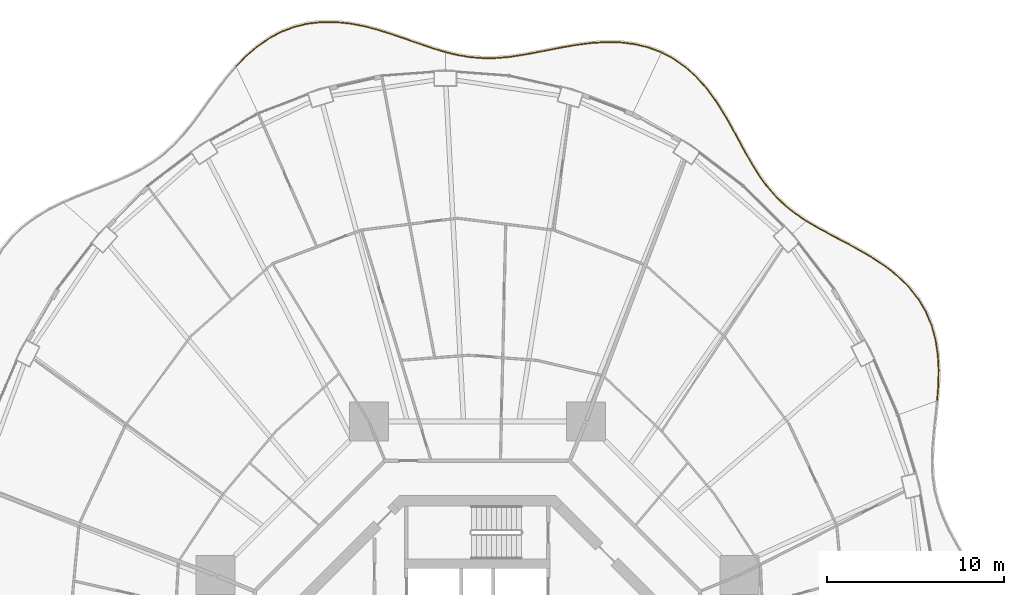
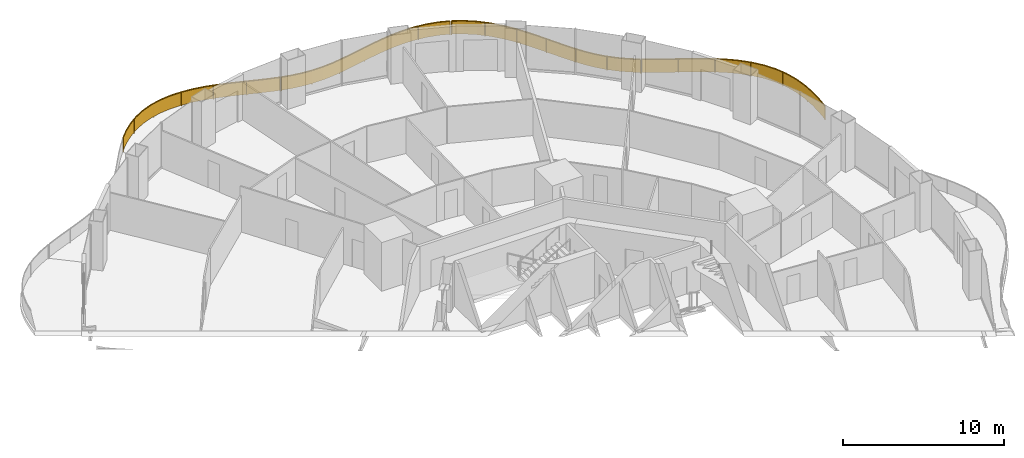
# One storey, part 22 of 22: 4 railings.
"""IFC4 building model written with IfcOpenShell, lengths in metres."""

import ifcopenshell
import ifcopenshell.guid

model = None  # the IFC model being written
_history = None  # IfcOwnerHistory: only IFC2X3 demands one
_inside = {}  # id of a spatial element -> (the spatial element, [elements in it])
_under = {}  # id of a project, library or spatial element -> (it, [spatial elements below it])
_declared = {}  # id of a project -> (the project, [libraries it declares])
_typed = {}  # id of a type object -> (the type object, [elements of that type])
_made_of = {}  # id of a material, layer set ... -> (it, [elements and type objects made of it])


def new_model(schema):
    """Start an empty IFC model of exactly this schema.

    Asked for "IFC4X3", IfcOpenShell would pick the latest addendum, in which some entities
    have other attributes; the version numbers below select the first issue.
    IFC2X3 requires an IfcOwnerHistory on every rooted entity: one is made here for all.
    """
    global model, _history
    if schema == "IFC4X3":
        model = ifcopenshell.file(schema_version=(4, 3, 0, 0))
    else:
        model = ifcopenshell.file(schema=schema)
    _inside.clear()
    _under.clear()
    _declared.clear()
    _typed.clear()
    _made_of.clear()
    _history = None
    if model.schema == "IFC2X3":
        org = make("IfcOrganization", Name="unknown")
        user = make(
            "IfcPersonAndOrganization",
            ThePerson=make("IfcPerson", FamilyName="unknown"),
            TheOrganization=org,
        )
        app = make(
            "IfcApplication",
            ApplicationDeveloper=org,
            Version="unknown",
            ApplicationFullName="unknown",
            ApplicationIdentifier="unknown",
        )
        _history = make(
            "IfcOwnerHistory",
            OwningUser=user,
            OwningApplication=app,
            ChangeAction="ADDED",
            CreationDate=0,
        )
    return model


def make(cls, **values):
    """One entity of the class cls with the attributes given. An attribute that is None is left unset."""
    return model.create_entity(
        cls, **{name: value for name, value in values.items() if value is not None}
    )


def rooted(cls, **values):
    """An entity with a GlobalId (a new one), such as an element, a storey or a relation."""
    return make(cls, GlobalId=ifcopenshell.guid.new(), OwnerHistory=_history, **values)


def si_unit(unit_type, name, prefix=None):
    """IfcSIUnit, for example si_unit("LENGTHUNIT", "METRE", prefix="MILLI")."""
    return make("IfcSIUnit", UnitType=unit_type, Prefix=prefix, Name=name)


def assignment(units):
    """IfcUnitAssignment: the units of a project."""
    return None if units is None else make("IfcUnitAssignment", Units=units)


def point(xyz):
    """IfcCartesianPoint."""
    return None if xyz is None else make("IfcCartesianPoint", Coordinates=xyz)


def direction(xyz):
    """IfcDirection."""
    return None if xyz is None else make("IfcDirection", DirectionRatios=xyz)


def frame(location, z_axis=None, x_axis=None):
    """IfcAxis2Placement3D, a coordinate frame: its origin and axes. An axis left out is left unset."""
    return make(
        "IfcAxis2Placement3D",
        Location=point(location),
        Axis=direction(z_axis),
        RefDirection=direction(x_axis),
    )


def frame_2d(location, x_axis=None):
    """IfcAxis2Placement2D, a coordinate frame in the plane: its origin and x axis."""
    return make(
        "IfcAxis2Placement2D", Location=point(location), RefDirection=direction(x_axis)
    )


def origin():
    """The frame at (0, 0, 0) with its axes left unset."""
    return frame((0.0, 0.0, 0.0))


def origin_2d():
    """The frame at (0, 0) in the plane with its x axis left unset."""
    return frame_2d((0.0, 0.0))


def place(relative_to, where):
    """IfcLocalPlacement: puts the frame where relative to a parent placement (None: the world)."""
    return make(
        "IfcLocalPlacement", PlacementRelTo=relative_to, RelativePlacement=where
    )


def context(
    kind, dimensions, precision=None, world=None, true_north=None, identifier=None
):
    """IfcGeometricRepresentationContext, for example the 3D "Model" context."""
    return make(
        "IfcGeometricRepresentationContext",
        ContextIdentifier=identifier,
        ContextType=kind,
        CoordinateSpaceDimension=dimensions,
        Precision=precision,
        WorldCoordinateSystem=world,
        TrueNorth=true_north,
    )


def subcontext(parent, identifier, kind, view, scale=None):
    """IfcGeometricRepresentationSubContext, for example "Body" below "Model"."""
    return make(
        "IfcGeometricRepresentationSubContext",
        ContextIdentifier=identifier,
        ContextType=kind,
        ParentContext=parent,
        TargetScale=scale,
        TargetView=view,
    )


def project(units=None, contexts=None):
    """IfcProject with its units and contexts."""
    return rooted(
        "IfcProject",
        Name="project",
        RepresentationContexts=contexts,
        UnitsInContext=assignment(units),
    )


def spatial(cls, under=None, at=None, **own):
    """A site, building, storey or space (cls), placed at a placement, below another one or the project."""
    s = rooted(cls, ObjectPlacement=at, **own)
    if under is not None:
        _under.setdefault(under.id(), (under, []))[1].append(s)
    return s


def polyline(points):
    """IfcPolyline through the points."""
    return make("IfcPolyline", Points=[point(p) for p in points])


def profile(cls, at=None, kind="AREA", **sizes):
    """A parametric profile (cls). Its sizes go by their IFC names, for example OverallWidth=200.0."""
    return make(cls, ProfileType=kind, Position=at, **sizes)


def rectangle(**sizes):
    """IfcRectangleProfileDef."""
    return profile("IfcRectangleProfileDef", **sizes)


def outline(outer, holes=None, kind="AREA"):
    """IfcArbitraryClosedProfileDef: a profile drawn as a closed curve; with holes, ...WithVoids."""
    if holes is None:
        return make("IfcArbitraryClosedProfileDef", ProfileType=kind, OuterCurve=outer)
    return make(
        "IfcArbitraryProfileDefWithVoids",
        ProfileType=kind,
        OuterCurve=outer,
        InnerCurves=holes,
    )


def extrude(swept, where, along, depth):
    """IfcExtrudedAreaSolid: the profile swept, set in the frame where, extruded along a direction by depth."""
    return make(
        "IfcExtrudedAreaSolid",
        SweptArea=swept,
        Position=where,
        ExtrudedDirection=direction(along),
        Depth=depth,
    )


def shape(context_of_items, identifier, shape_type, items):
    """IfcShapeRepresentation: the items that make up one representation, for example the "Body"."""
    return make(
        "IfcShapeRepresentation",
        ContextOfItems=context_of_items,
        RepresentationIdentifier=identifier,
        RepresentationType=shape_type,
        Items=items,
    )


def material(Name=None, Category=None):
    """IfcMaterial."""
    return make("IfcMaterial", Name=Name, Category=Category)


def made_of(thing, what):
    """Note that an element or type object is made of a material, layer set ...; save() writes the relation."""
    if what is not None:
        _made_of.setdefault(what.id(), (what, []))[1].append(thing)
    return thing


def type_object(cls, material=None, **own):
    """A type object (cls), such as IfcWallType, which elements share."""
    return made_of(rooted(cls, **own), material)


def element(
    cls,
    number,
    at=None,
    inside=None,
    cuts=None,
    type_object=None,
    material=None,
    context=None,
    identifier="Body",
    shape_type=None,
    held_by="IfcProductDefinitionShape",
    body=None,
    shapes=None,
    **own,
):
    """One element of the class cls, such as IfcWall. Its Tag is "e" and its number.

    at: its placement. inside: the storey or other place that contains it. cuts: it is an
    opening in that element (IfcRelVoidsElement). A single representation is given by context,
    identifier, shape_type and body (its items); several are given by shapes. held_by: the class
    of the entity that holds the representations. save() writes the other relations.
    """
    e = rooted(cls, Tag="e%d" % number, ObjectPlacement=at, **own)
    if body is not None:
        shapes = [shape(context, identifier, shape_type, body)]
    if shapes is not None:
        e.Representation = make(held_by, Representations=shapes)
    if inside is not None:
        _inside.setdefault(inside.id(), (inside, []))[1].append(e)
    if cuts is not None:
        rooted(
            "IfcRelVoidsElement", RelatingBuildingElement=cuts, RelatedOpeningElement=e
        )
    if type_object is not None:
        _typed.setdefault(type_object.id(), (type_object, []))[1].append(e)
    return made_of(e, material)


def aggregate(whole, parts):
    """IfcRelAggregates: a whole, such as a stair, and the parts it consists of."""
    return rooted("IfcRelAggregates", RelatingObject=whole, RelatedObjects=parts)


def save(model, path):
    """Write the relations noted so far, then the file.

    IfcRelAggregates (storeys below a building ...), IfcRelContainedInSpatialStructure (elements
    in a storey), IfcRelDefinesByType, IfcRelAssociatesMaterial and IfcRelDeclares: one each for
    every whole, place, type object, material and project.
    """
    for whole, parts in _under.values():
        aggregate(whole, parts)
    for where, things in _inside.values():
        rooted(
            "IfcRelContainedInSpatialStructure",
            RelatedElements=things,
            RelatingStructure=where,
        )
    for kind, things in _typed.values():
        rooted("IfcRelDefinesByType", RelatedObjects=things, RelatingType=kind)
    for what, things in _made_of.values():
        rooted("IfcRelAssociatesMaterial", RelatedObjects=things, RelatingMaterial=what)
    for by, libraries in _declared.values():
        rooted("IfcRelDeclares", RelatingContext=by, RelatedDefinitions=libraries)
    model.write(path)


model = new_model("IFC4")

# Units and contexts
model_context = context("Model", 3, precision=1e-05, world=origin(), true_north=direction((0.0, 1.0)))
body_context = subcontext(model_context, "Body", "Model", "MODEL_VIEW")
ifc_project = project(units=[si_unit("LENGTHUNIT", "METRE"), si_unit("AREAUNIT", "SQUARE_METRE"), si_unit("VOLUMEUNIT", "CUBIC_METRE"), si_unit("PLANEANGLEUNIT", "RADIAN"), si_unit("MASSUNIT", "GRAM", prefix="KILO")], contexts=[model_context])

# Site, building, storey
site_placement = place(None, origin())
site = spatial("IfcSite", under=ifc_project, at=site_placement, CompositionType="ELEMENT")
building_placement = place(site_placement, origin())
building = spatial("IfcBuilding", under=site, at=building_placement, Name="Nagisa Residences", CompositionType="ELEMENT")
storey_placement = place(building_placement, frame((0.0, 0.0, 88.10009765625)))
storey = spatial("IfcBuildingStorey", under=building, at=storey_placement, Name="L21", CompositionType="ELEMENT", Elevation=88.10009765625)

# Railings
ifc_material = material(Name="Stainless steel 316", Category="steel")
railing_type = type_object("IfcRailingType", Name="BALCONY GUARD 1100", PredefinedType="BALUSTRADE", material=ifc_material)
railing_1_placement = place(storey_placement, frame((25.9326171875, 15.995849609375, 0.0)))
element("IfcRailing", 1, at=railing_1_placement, inside=storey, type_object=railing_type, Name="guard:L21:bal01-0", PredefinedType="BALUSTRADE", context=body_context, shape_type="SweptSolid", body=[
    extrude(outline(polyline([(0.039306640625, 0.837890625), (-0.02490234375, 0.001953125), (0.02490234375, -0.001953125), (0.089111328125, 0.83544921875), (0.107421875, 1.7177734375), (0.058349609375, 2.588623046875), (-0.07373046875, 3.436767578125), (-0.300537109375, 4.2509765625), (-0.62158203125, 5.00830078125), (-1.050537109375, 5.727294921875), (-1.575927734375, 6.389404296875), (-2.186279296875, 6.992431640625), (-2.867431640625, 7.53857421875), (-3.5927734375, 8.020751953125), (-4.359130859375, 8.472900390625), (-5.13720703125, 8.89453125), (-5.907958984375, 9.299560546875), (-6.6533203125, 9.703125), (-7.322998046875, 10.097412109375), (-7.348388671875, 10.054443359375), (-6.677734375, 9.65966796875), (-5.931396484375, 9.255615234375), (-5.16064453125, 8.8505859375), (-4.383544921875, 8.429443359375), (-3.619140625, 7.978271484375), (-2.897216796875, 7.498046875), (-2.219482421875, 6.954833984375), (-1.613037109375, 6.355712890625), (-1.092041015625, 5.698974609375), (-0.66650390625, 4.98583984375), (-0.347900390625, 4.234375), (-0.12255859375, 3.426025390625), (0.008544921875, 2.583251953125), (0.05712890625, 1.716796875), (0.039306640625, 0.837890625)])), frame((0.0, 0.0, 1.050048828125)), (0.0, 0.0, 1.0), 0.050048828125),
    extrude(outline(polyline([(0.05712890625, 0.8369140625), (-0.007080078125, 0.00048828125), (0.007080078125, -0.00048828125), (0.0712890625, 0.83642578125), (0.08935546875, 1.717529296875), (0.04052734375, 2.586669921875), (-0.09130859375, 3.432861328125), (-0.317626953125, 4.244873046875), (-0.6376953125, 5.000244140625), (-1.0654296875, 5.717041015625), (-1.58935546875, 6.377197265625), (-2.1982421875, 6.978759765625), (-2.878173828125, 7.52392578125), (-3.602294921875, 8.00537109375), (-4.367919921875, 8.457275390625), (-5.145751953125, 8.878662109375), (-5.91650390625, 9.28369140625), (-6.662109375, 9.6875), (-7.33203125, 10.08203125), (-7.33935546875, 10.06982421875), (-6.6689453125, 9.67529296875), (-5.9228515625, 9.271484375), (-5.152099609375, 8.866455078125), (-4.374755859375, 8.445068359375), (-3.609619140625, 7.99365234375), (-2.886474609375, 7.5126953125), (-2.20751953125, 6.968505859375), (-1.599609375, 6.367919921875), (-1.0771484375, 5.709228515625), (-0.650390625, 4.993896484375), (-0.330810546875, 4.240478515625), (-0.10498046875, 3.429931640625), (0.0263671875, 2.585205078125), (0.0751953125, 1.717041015625), (0.05712890625, 0.8369140625)])), frame((0.0, 0.0, 0.06005859375)), (0.0, 0.0, 1.0), 0.989990234375),
    extrude(rectangle(XDim=0.0400390625, YDim=0.0400390625, at=origin_2d()), origin(), (0.0, 0.0, 1.0), 1.050048828125),
    extrude(rectangle(XDim=0.0400390625, YDim=0.0400390625, at=origin_2d()), frame((0.051025390625, 2.27099609375, 0.0)), (0.0, 0.0, 1.0), 1.050048828125),
    extrude(rectangle(XDim=0.0400390625, YDim=0.0400390625, at=origin_2d()), frame((-0.42626953125, 4.4833984375, 0.0)), (0.0, 0.0, 1.0), 1.050048828125),
    extrude(rectangle(XDim=0.0400390625, YDim=0.0400390625, at=origin_2d()), frame((-1.62353515625, 6.4013671875, 0.0)), (0.0, 0.0, 1.0), 1.050048828125),
    extrude(rectangle(XDim=0.0400390625, YDim=0.0400390625, at=origin_2d()), frame((-3.373291015625, 7.8447265625, 0.0)), (0.0, 0.0, 1.0), 1.050048828125),
    extrude(rectangle(XDim=0.0400390625, YDim=0.0400390625, at=origin_2d()), frame((-5.345458984375, 8.975830078125, 0.0)), (0.0, 0.0, 1.0), 1.050048828125),
    extrude(rectangle(XDim=0.0400390625, YDim=0.0400390625, at=origin_2d()), frame((-7.335693359375, 10.075927734375, 0.0)), (0.0, 0.0, 1.0), 1.050048828125),
])
railing_2_placement = place(storey_placement, frame((18.53466796875, 26.108642578125, 0.0)))
element("IfcRailing", 2, at=railing_2_placement, inside=storey, type_object=railing_type, Name="guard:L21:bal02-0", PredefinedType="BALUSTRADE", context=body_context, shape_type="SweptSolid", body=[
    extrude(outline(polyline([(-0.607421875, 0.379150390625), (-0.013916015625, -0.020751953125), (0.013916015625, 0.020751953125), (-0.57763671875, 0.419677734375), (-1.1552734375, 0.87890625), (-1.6826171875, 1.3828125), (-2.163818359375, 1.935546875), (-2.605712890625, 2.53857421875), (-3.006103515625, 3.178955078125), (-3.401611328125, 3.87060546875), (-3.793701171875, 4.593017578125), (-4.1962890625, 5.331787109375), (-4.622314453125, 6.07080078125), (-5.070556640625, 6.783203125), (-5.577392578125, 7.468505859375), (-6.136474609375, 8.099853515625), (-6.7509765625, 8.661376953125), (-7.421142578125, 9.139404296875), (-8.1005859375, 9.501708984375), (-8.1240234375, 9.457763671875), (-7.447509765625, 9.096923828125), (-6.78271484375, 8.622314453125), (-6.172119140625, 8.064697265625), (-5.616455078125, 7.436767578125), (-5.112060546875, 6.7548828125), (-4.665283203125, 6.044921875), (-4.23974609375, 5.307373046875), (-3.837646484375, 4.569091796875), (-3.445556640625, 3.84619140625), (-3.049072265625, 3.153076171875), (-2.647216796875, 2.51025390625), (-2.202880859375, 1.904296875), (-1.71875, 1.34814453125), (-1.18798828125, 0.84130859375), (-0.607421875, 0.379150390625)])), frame((0.0, 0.0, 1.050048828125)), (0.0, 0.0, 1.0), 0.050048828125),
    extrude(outline(polyline([(-0.5966796875, 0.393798828125), (-0.00390625, -0.005859375), (0.00390625, 0.005859375), (-0.58837890625, 0.405029296875), (-1.1669921875, 0.865478515625), (-1.695556640625, 1.370361328125), (-2.177978515625, 1.92431640625), (-2.62060546875, 2.5283203125), (-3.021484375, 3.169677734375), (-3.41748046875, 3.86181640625), (-3.8095703125, 4.58447265625), (-4.2119140625, 5.322998046875), (-4.6376953125, 6.0615234375), (-5.08544921875, 6.77294921875), (-5.591552734375, 7.45703125), (-6.1494140625, 8.087158203125), (-6.762451171875, 8.647216796875), (-7.4306640625, 9.1240234375), (-8.109130859375, 9.48583984375), (-8.115478515625, 9.4736328125), (-7.43798828125, 9.1123046875), (-6.771240234375, 8.636474609375), (-6.1591796875, 8.077392578125), (-5.602294921875, 7.4482421875), (-5.09716796875, 6.76513671875), (-4.64990234375, 6.05419921875), (-4.22412109375, 5.316162109375), (-3.82177734375, 4.57763671875), (-3.4296875, 3.85498046875), (-3.03369140625, 3.162353515625), (-2.63232421875, 2.5205078125), (-2.188720703125, 1.91552734375), (-1.705810546875, 1.360595703125), (-1.17626953125, 0.854736328125), (-0.5966796875, 0.393798828125)])), frame((0.0, 0.0, 0.06005859375)), (0.0, 0.0, 1.0), 0.989990234375),
    extrude(rectangle(XDim=0.0400390625, YDim=0.0400390625, at=origin_2d()), origin(), (0.0, 0.0, 1.0), 1.050048828125),
    extrude(rectangle(XDim=0.0400390625, YDim=0.0400390625, at=origin_2d()), frame((-1.649169921875, 1.31640625, 0.0)), (0.0, 0.0, 1.0), 1.050048828125),
    extrude(rectangle(XDim=0.0400390625, YDim=0.0400390625, at=origin_2d()), frame((-2.9228515625, 2.99853515625, 0.0)), (0.0, 0.0, 1.0), 1.050048828125),
    extrude(rectangle(XDim=0.0400390625, YDim=0.0400390625, at=origin_2d()), frame((-3.9580078125, 4.842529296875, 0.0)), (0.0, 0.0, 1.0), 1.050048828125),
    extrude(rectangle(XDim=0.0400390625, YDim=0.0400390625, at=origin_2d()), frame((-5.02685546875, 6.666748046875, 0.0)), (0.0, 0.0, 1.0), 1.050048828125),
    extrude(rectangle(XDim=0.0400390625, YDim=0.0400390625, at=origin_2d()), frame((-6.3779296875, 8.28662109375, 0.0)), (0.0, 0.0, 1.0), 1.050048828125),
    extrude(rectangle(XDim=0.0400390625, YDim=0.0400390625, at=origin_2d()), frame((-8.1123046875, 9.479736328125, 0.0)), (0.0, 0.0, 1.0), 1.050048828125),
])
railing_3_placement = place(storey_placement, frame((10.35205078125, 35.620361328125, 0.0)))
element("IfcRailing", 3, at=railing_3_placement, inside=storey, type_object=railing_type, Name="guard:L21:bal03-0", PredefinedType="BALUSTRADE", context=body_context, shape_type="SweptSolid", body=[
    extrude(outline(polyline([(-0.700439453125, 0.236572265625), (-0.0087890625, -0.0234375), (0.0087890625, 0.0234375), (-0.685791015625, 0.284423828125), (-1.46142578125, 0.471435546875), (-2.263427734375, 0.57080078125), (-3.082763671875, 0.5908203125), (-3.9091796875, 0.542724609375), (-4.71728515625, 0.4365234375), (-5.53271484375, 0.2998046875), (-6.33349609375, 0.144775390625), (-7.115234375, -0.009521484375), (-7.876708984375, -0.146484375), (-8.6005859375, -0.252685546875), (-9.324462890625, -0.310791015625), (-10.0361328125, -0.314453125), (-10.740966796875, -0.25927734375), (-11.44482421875, -0.145263671875), (-12.111572265625, 0.013916015625), (-12.123291015625, -0.034912109375), (-11.45458984375, -0.194580078125), (-10.746826171875, -0.30908203125), (-10.0380859375, -0.36474609375), (-9.322509765625, -0.360595703125), (-8.5947265625, -0.302490234375), (-7.868408203125, -0.19580078125), (-7.10595703125, -0.058837890625), (-6.32373046875, 0.095458984375), (-5.52392578125, 0.25048828125), (-4.7099609375, 0.38720703125), (-3.904296875, 0.492919921875), (-3.081787109375, 0.54052734375), (-2.267333984375, 0.52099609375), (-1.47021484375, 0.422119140625), (-0.700439453125, 0.236572265625)])), frame((0.0, 0.0, 1.050048828125)), (0.0, 0.0, 1.0), 0.050048828125),
    extrude(outline(polyline([(-0.695068359375, 0.25390625), (-0.00244140625, -0.006591796875), (0.00244140625, 0.006591796875), (-0.691162109375, 0.26708984375), (-1.464599609375, 0.45361328125), (-2.264892578125, 0.552978515625), (-3.082275390625, 0.57275390625), (-3.907470703125, 0.52490234375), (-4.714599609375, 0.418701171875), (-5.529541015625, 0.281982421875), (-6.330078125, 0.126953125), (-7.11181640625, -0.02734375), (-7.873779296875, -0.164306640625), (-8.598388671875, -0.2705078125), (-9.32373046875, -0.32861328125), (-10.036865234375, -0.33251953125), (-10.7431640625, -0.27734375), (-11.4482421875, -0.1630859375), (-12.11572265625, -0.003662109375), (-12.119140625, -0.017333984375), (-11.451171875, -0.1767578125), (-10.74462890625, -0.291015625), (-10.037353515625, -0.3466796875), (-9.3232421875, -0.3427734375), (-8.596923828125, -0.28466796875), (-7.871337890625, -0.177978515625), (-7.109375, -0.041015625), (-6.3271484375, 0.11328125), (-5.527099609375, 0.268310546875), (-4.712646484375, 0.405029296875), (-3.906005859375, 0.5107421875), (-3.082275390625, 0.55859375), (-2.265869140625, 0.538818359375), (-1.467041015625, 0.43994140625), (-0.695068359375, 0.25390625)])), frame((0.0, 0.0, 0.06005859375)), (0.0, 0.0, 1.0), 0.989990234375),
    extrude(rectangle(XDim=0.0400390625, YDim=0.0400390625, at=origin_2d()), origin(), (0.0, 0.0, 1.0), 1.050048828125),
    extrude(rectangle(XDim=0.0400390625, YDim=0.0400390625, at=origin_2d()), frame((-1.975830078125, 0.510009765625, 0.0)), (0.0, 0.0, 1.0), 1.050048828125),
    extrude(rectangle(XDim=0.0400390625, YDim=0.0400390625, at=origin_2d()), frame((-4.020263671875, 0.5029296875, 0.0)), (0.0, 0.0, 1.0), 1.050048828125),
    extrude(rectangle(XDim=0.0400390625, YDim=0.0400390625, at=origin_2d()), frame((-6.04248046875, 0.175537109375, 0.0)), (0.0, 0.0, 1.0), 1.050048828125),
    extrude(rectangle(XDim=0.0400390625, YDim=0.0400390625, at=origin_2d()), frame((-8.05712890625, -0.1982421875, 0.0)), (0.0, 0.0, 1.0), 1.050048828125),
    extrude(rectangle(XDim=0.0400390625, YDim=0.0400390625, at=origin_2d()), frame((-10.09814453125, -0.334716796875, 0.0)), (0.0, 0.0, 1.0), 1.050048828125),
    extrude(rectangle(XDim=0.0400390625, YDim=0.0400390625, at=origin_2d()), frame((-12.117431640625, -0.010498046875, 0.0)), (0.0, 0.0, 1.0), 1.050048828125),
])
railing_4_placement = place(storey_placement, frame((-1.834228515625, 35.630615234375, 0.0)))
element("IfcRailing", 4, at=railing_4_placement, inside=storey, type_object=railing_type, Name="guard:L21:bal04-0", PredefinedType="BALUSTRADE", context=body_context, shape_type="SweptSolid", body=[
    extrude(outline(polyline([(-0.6865234375, 0.179931640625), (-0.007080078125, -0.02392578125), (0.007080078125, 0.02392578125), (-0.67138671875, 0.227783203125), (-1.407958984375, 0.475830078125), (-2.16259765625, 0.741943359375), (-2.9365234375, 1.008056640625), (-3.727783203125, 1.255859375), (-4.515869140625, 1.46875), (-5.330078125, 1.6240234375), (-6.14599609375, 1.7080078125), (-6.955322265625, 1.709228515625), (-7.749755859375, 1.61767578125), (-8.504150390625, 1.434814453125), (-9.244140625, 1.14990234375), (-9.947021484375, 0.773193359375), (-10.6083984375, 0.31201171875), (-11.22705078125, -0.220458984375), (-11.7685546875, -0.7783203125), (-11.732421875, -0.81298828125), (-11.19287109375, -0.257080078125), (-10.57763671875, 0.2724609375), (-9.920654296875, 0.730224609375), (-9.22314453125, 1.1044921875), (-8.489013671875, 1.386962890625), (-7.740966796875, 1.568359375), (-6.952392578125, 1.658935546875), (-6.1484375, 1.658203125), (-5.33740234375, 1.57421875), (-4.527099609375, 1.419921875), (-3.741943359375, 1.2080078125), (-2.9521484375, 0.960693359375), (-2.17919921875, 0.694580078125), (-1.424072265625, 0.428466796875), (-0.6865234375, 0.179931640625)])), frame((0.0, 0.0, 1.050048828125)), (0.0, 0.0, 1.0), 0.050048828125),
    extrude(outline(polyline([(-0.68115234375, 0.197265625), (-0.001953125, -0.006591796875), (0.001953125, 0.006591796875), (-0.6767578125, 0.21044921875), (-1.413818359375, 0.458740234375), (-2.168701171875, 0.724853515625), (-2.942138671875, 0.990966796875), (-3.73291015625, 1.23876953125), (-4.52001953125, 1.451171875), (-5.332763671875, 1.60595703125), (-6.14697265625, 1.690185546875), (-6.954345703125, 1.691162109375), (-7.74658203125, 1.599853515625), (-8.498779296875, 1.41748046875), (-9.236572265625, 1.133544921875), (-9.9375, 0.757568359375), (-10.597412109375, 0.2978515625), (-11.21484375, -0.233642578125), (-11.755615234375, -0.790771484375), (-11.745361328125, -0.800537109375), (-11.205078125, -0.243896484375), (-10.588623046875, 0.28662109375), (-9.93017578125, 0.745849609375), (-9.230712890625, 1.120849609375), (-8.494384765625, 1.404296875), (-7.744140625, 1.586181640625), (-6.953369140625, 1.677001953125), (-6.1474609375, 1.676025390625), (-5.334716796875, 1.59228515625), (-4.52294921875, 1.4375), (-3.73681640625, 1.22509765625), (-2.946533203125, 0.977783203125), (-2.173095703125, 0.711669921875), (-1.418212890625, 0.445556640625), (-0.68115234375, 0.197265625)])), frame((0.0, 0.0, 0.06005859375)), (0.0, 0.0, 1.0), 0.989990234375),
    extrude(rectangle(XDim=0.0400390625, YDim=0.0400390625, at=origin_2d()), origin(), (0.0, 0.0, 1.0), 1.050048828125),
    extrude(rectangle(XDim=0.0400390625, YDim=0.0400390625, at=origin_2d()), frame((-2.017578125, 0.664306640625, 0.0)), (0.0, 0.0, 1.0), 1.050048828125),
    extrude(rectangle(XDim=0.0400390625, YDim=0.0400390625, at=origin_2d()), frame((-4.03955078125, 1.314208984375, 0.0)), (0.0, 0.0, 1.0), 1.050048828125),
    extrude(rectangle(XDim=0.0400390625, YDim=0.0400390625, at=origin_2d()), frame((-6.1279296875, 1.68115234375, 0.0)), (0.0, 0.0, 1.0), 1.050048828125),
    extrude(rectangle(XDim=0.0400390625, YDim=0.0400390625, at=origin_2d()), frame((-8.233154296875, 1.474853515625, 0.0)), (0.0, 0.0, 1.0), 1.050048828125),
    extrude(rectangle(XDim=0.0400390625, YDim=0.0400390625, at=origin_2d()), frame((-10.154541015625, 0.597900390625, 0.0)), (0.0, 0.0, 1.0), 1.050048828125),
    extrude(rectangle(XDim=0.0400390625, YDim=0.0400390625, at=origin_2d()), frame((-11.75048828125, -0.795654296875, 0.0)), (0.0, 0.0, 1.0), 1.050048828125),
])

save(model, "model.ifc")
